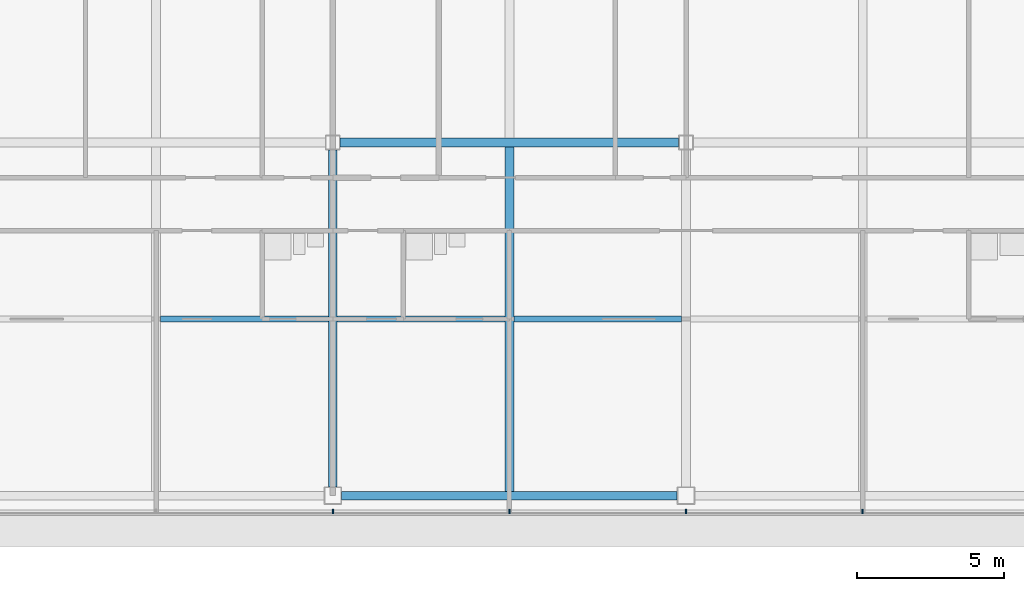
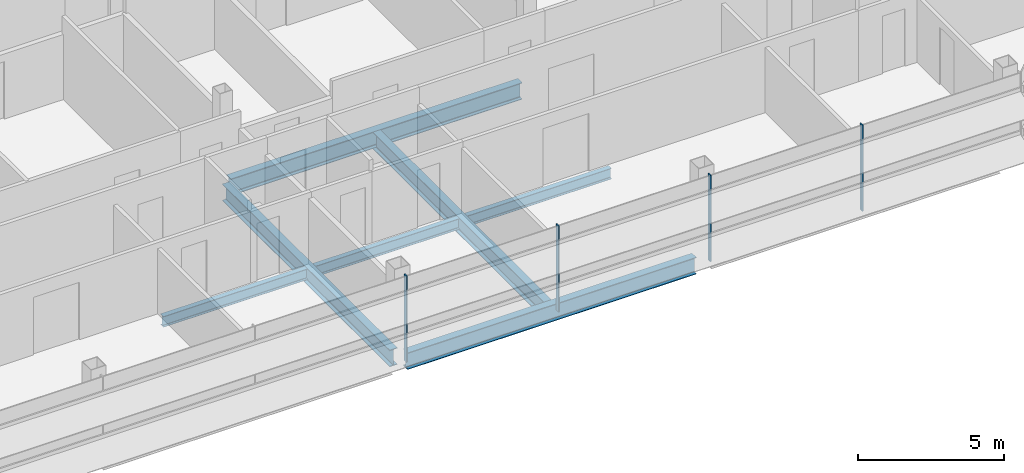
# One storey, part 9 of 28: 7 beams, 4 members, 1 element without a shape of its own.
"""IFC4 building model written with IfcOpenShell, lengths in metres."""

import ifcopenshell
import ifcopenshell.guid

model = None  # the IFC model being written
_history = None  # IfcOwnerHistory: only IFC2X3 demands one
_inside = {}  # id of a spatial element -> (the spatial element, [elements in it])
_under = {}  # id of a project, library or spatial element -> (it, [spatial elements below it])
_declared = {}  # id of a project -> (the project, [libraries it declares])
_typed = {}  # id of a type object -> (the type object, [elements of that type])
_made_of = {}  # id of a material, layer set ... -> (it, [elements and type objects made of it])


def new_model(schema):
    """Start an empty IFC model of exactly this schema.

    Asked for "IFC4X3", IfcOpenShell would pick the latest addendum, in which some entities
    have other attributes; the version numbers below select the first issue.
    IFC2X3 requires an IfcOwnerHistory on every rooted entity: one is made here for all.
    """
    global model, _history
    if schema == "IFC4X3":
        model = ifcopenshell.file(schema_version=(4, 3, 0, 0))
    else:
        model = ifcopenshell.file(schema=schema)
    _inside.clear()
    _under.clear()
    _declared.clear()
    _typed.clear()
    _made_of.clear()
    _history = None
    if model.schema == "IFC2X3":
        org = make("IfcOrganization", Name="unknown")
        user = make(
            "IfcPersonAndOrganization",
            ThePerson=make("IfcPerson", FamilyName="unknown"),
            TheOrganization=org,
        )
        app = make(
            "IfcApplication",
            ApplicationDeveloper=org,
            Version="unknown",
            ApplicationFullName="unknown",
            ApplicationIdentifier="unknown",
        )
        _history = make(
            "IfcOwnerHistory",
            OwningUser=user,
            OwningApplication=app,
            ChangeAction="ADDED",
            CreationDate=0,
        )
    return model


def make(cls, **values):
    """One entity of the class cls with the attributes given. An attribute that is None is left unset."""
    return model.create_entity(
        cls, **{name: value for name, value in values.items() if value is not None}
    )


def rooted(cls, **values):
    """An entity with a GlobalId (a new one), such as an element, a storey or a relation."""
    return make(cls, GlobalId=ifcopenshell.guid.new(), OwnerHistory=_history, **values)


def si_unit(unit_type, name, prefix=None):
    """IfcSIUnit, for example si_unit("LENGTHUNIT", "METRE", prefix="MILLI")."""
    return make("IfcSIUnit", UnitType=unit_type, Prefix=prefix, Name=name)


def assignment(units):
    """IfcUnitAssignment: the units of a project."""
    return None if units is None else make("IfcUnitAssignment", Units=units)


def point(xyz):
    """IfcCartesianPoint."""
    return None if xyz is None else make("IfcCartesianPoint", Coordinates=xyz)


def direction(xyz):
    """IfcDirection."""
    return None if xyz is None else make("IfcDirection", DirectionRatios=xyz)


def frame(location, z_axis=None, x_axis=None):
    """IfcAxis2Placement3D, a coordinate frame: its origin and axes. An axis left out is left unset."""
    return make(
        "IfcAxis2Placement3D",
        Location=point(location),
        Axis=direction(z_axis),
        RefDirection=direction(x_axis),
    )


def frame_2d(location, x_axis=None):
    """IfcAxis2Placement2D, a coordinate frame in the plane: its origin and x axis."""
    return make(
        "IfcAxis2Placement2D", Location=point(location), RefDirection=direction(x_axis)
    )


def origin():
    """The frame at (0, 0, 0) with its axes left unset."""
    return frame((0.0, 0.0, 0.0))


def origin_2d():
    """The frame at (0, 0) in the plane with its x axis left unset."""
    return frame_2d((0.0, 0.0))


def place(relative_to, where):
    """IfcLocalPlacement: puts the frame where relative to a parent placement (None: the world)."""
    return make(
        "IfcLocalPlacement", PlacementRelTo=relative_to, RelativePlacement=where
    )


def context(
    kind, dimensions, precision=None, world=None, true_north=None, identifier=None
):
    """IfcGeometricRepresentationContext, for example the 3D "Model" context."""
    return make(
        "IfcGeometricRepresentationContext",
        ContextIdentifier=identifier,
        ContextType=kind,
        CoordinateSpaceDimension=dimensions,
        Precision=precision,
        WorldCoordinateSystem=world,
        TrueNorth=true_north,
    )


def subcontext(parent, identifier, kind, view, scale=None):
    """IfcGeometricRepresentationSubContext, for example "Body" below "Model"."""
    return make(
        "IfcGeometricRepresentationSubContext",
        ContextIdentifier=identifier,
        ContextType=kind,
        ParentContext=parent,
        TargetScale=scale,
        TargetView=view,
    )


def project(units=None, contexts=None):
    """IfcProject with its units and contexts."""
    return rooted(
        "IfcProject",
        Name="project",
        RepresentationContexts=contexts,
        UnitsInContext=assignment(units),
    )


def spatial(cls, under=None, at=None, **own):
    """A site, building, storey or space (cls), placed at a placement, below another one or the project."""
    s = rooted(cls, ObjectPlacement=at, **own)
    if under is not None:
        _under.setdefault(under.id(), (under, []))[1].append(s)
    return s


def profile(cls, at=None, kind="AREA", **sizes):
    """A parametric profile (cls). Its sizes go by their IFC names, for example OverallWidth=200.0."""
    return make(cls, ProfileType=kind, Position=at, **sizes)


def rectangle(**sizes):
    """IfcRectangleProfileDef."""
    return profile("IfcRectangleProfileDef", **sizes)


def i_section(**sizes):
    """IfcIShapeProfileDef."""
    return profile("IfcIShapeProfileDef", **sizes)


def extrude(swept, where, along, depth):
    """IfcExtrudedAreaSolid: the profile swept, set in the frame where, extruded along a direction by depth."""
    return make(
        "IfcExtrudedAreaSolid",
        SweptArea=swept,
        Position=where,
        ExtrudedDirection=direction(along),
        Depth=depth,
    )


def shape(context_of_items, identifier, shape_type, items):
    """IfcShapeRepresentation: the items that make up one representation, for example the "Body"."""
    return make(
        "IfcShapeRepresentation",
        ContextOfItems=context_of_items,
        RepresentationIdentifier=identifier,
        RepresentationType=shape_type,
        Items=items,
    )


def material(Name=None, Category=None):
    """IfcMaterial."""
    return make("IfcMaterial", Name=Name, Category=Category)


def material_profile(
    of_material, cross_section, Name=None, Category=None, Priority=None
):
    """IfcMaterialProfile: a cross section and its material."""
    return make(
        "IfcMaterialProfile",
        Name=Name,
        Material=of_material,
        Profile=cross_section,
        Priority=Priority,
        Category=Category,
    )


def profile_set(profiles, Name=None, composite=None):
    """IfcMaterialProfileSet."""
    return make(
        "IfcMaterialProfileSet",
        Name=Name,
        MaterialProfiles=profiles,
        CompositeProfile=composite,
    )


def made_of(thing, what):
    """Note that an element or type object is made of a material, layer set ...; save() writes the relation."""
    if what is not None:
        _made_of.setdefault(what.id(), (what, []))[1].append(thing)
    return thing


def type_object(cls, material=None, **own):
    """A type object (cls), such as IfcWallType, which elements share."""
    return made_of(rooted(cls, **own), material)


def element(
    cls,
    number,
    at=None,
    inside=None,
    cuts=None,
    type_object=None,
    material=None,
    context=None,
    identifier="Body",
    shape_type=None,
    held_by="IfcProductDefinitionShape",
    body=None,
    shapes=None,
    **own,
):
    """One element of the class cls, such as IfcWall. Its Tag is "e" and its number.

    at: its placement. inside: the storey or other place that contains it. cuts: it is an
    opening in that element (IfcRelVoidsElement). A single representation is given by context,
    identifier, shape_type and body (its items); several are given by shapes. held_by: the class
    of the entity that holds the representations. save() writes the other relations.
    """
    e = rooted(cls, Tag="e%d" % number, ObjectPlacement=at, **own)
    if body is not None:
        shapes = [shape(context, identifier, shape_type, body)]
    if shapes is not None:
        e.Representation = make(held_by, Representations=shapes)
    if inside is not None:
        _inside.setdefault(inside.id(), (inside, []))[1].append(e)
    if cuts is not None:
        rooted(
            "IfcRelVoidsElement", RelatingBuildingElement=cuts, RelatedOpeningElement=e
        )
    if type_object is not None:
        _typed.setdefault(type_object.id(), (type_object, []))[1].append(e)
    return made_of(e, material)


def aggregate(whole, parts):
    """IfcRelAggregates: a whole, such as a stair, and the parts it consists of."""
    return rooted("IfcRelAggregates", RelatingObject=whole, RelatedObjects=parts)


def save(model, path):
    """Write the relations noted so far, then the file.

    IfcRelAggregates (storeys below a building ...), IfcRelContainedInSpatialStructure (elements
    in a storey), IfcRelDefinesByType, IfcRelAssociatesMaterial and IfcRelDeclares: one each for
    every whole, place, type object, material and project.
    """
    for whole, parts in _under.values():
        aggregate(whole, parts)
    for where, things in _inside.values():
        rooted(
            "IfcRelContainedInSpatialStructure",
            RelatedElements=things,
            RelatingStructure=where,
        )
    for kind, things in _typed.values():
        rooted("IfcRelDefinesByType", RelatedObjects=things, RelatingType=kind)
    for what, things in _made_of.values():
        rooted("IfcRelAssociatesMaterial", RelatedObjects=things, RelatingMaterial=what)
    for by, libraries in _declared.values():
        rooted("IfcRelDeclares", RelatingContext=by, RelatedDefinitions=libraries)
    model.write(path)


model = new_model("IFC4")

# Units and contexts
model_context = context("Model", 3, precision=1e-05, world=origin(), true_north=direction((0.0, 1.0)))
body_context = subcontext(model_context, "Body", "Model", "MODEL_VIEW")
ifc_project = project(units=[si_unit("LENGTHUNIT", "METRE"), si_unit("AREAUNIT", "SQUARE_METRE"), si_unit("VOLUMEUNIT", "CUBIC_METRE"), si_unit("PLANEANGLEUNIT", "RADIAN"), si_unit("MASSUNIT", "GRAM", prefix="KILO")], contexts=[model_context])

# Site, building, storey
site_placement = place(None, origin())
site = spatial("IfcSite", under=ifc_project, at=site_placement, CompositionType="ELEMENT")
building_placement = place(site_placement, origin())
building = spatial("IfcBuilding", under=site, at=building_placement, Name="Sorahane Residences", CompositionType="ELEMENT")
storey_placement = place(building_placement, frame((0.0, 0.0, 273.800048828125)))
storey = spatial("IfcBuildingStorey", under=building, at=storey_placement, Name="L65", CompositionType="ELEMENT", Elevation=273.800048828125)

# Curtain wall, members
ifc_material_1 = material(Name="Dark low-e glass and black anodised aluminium", Category="aluminium")
curtain_wall_type = type_object("IfcCurtainWallType", Name="Curtain wall CW-1 Typical unitised wall", PredefinedType="NOTDEFINED", material=ifc_material_1)
curtain_wall_placement = place(storey_placement, origin())
curtain_wall = element("IfcCurtainWall", 1, at=curtain_wall_placement, inside=storey, type_object=curtain_wall_type, Name="CW-1 curtain wall L65 S1", PredefinedType="NOTDEFINED")
ifc_material_2 = material(Name="Black anodised aluminium", Category="aluminium")
ifc_material_profile_1 = material_profile(ifc_material_2, rectangle(XDim=0.159912109375, YDim=0.050048828125, at=origin_2d()), Name="Curtain wall mullion CW-1 black anodised aluminium 50x160")
ifc_profile_set_1 = profile_set([ifc_material_profile_1], Name="Black anodised aluminium")
member_type = type_object("IfcMemberType", Name="Curtain wall mullion CW-1 black anodised aluminium 50x160", PredefinedType="MULLION", material=ifc_profile_set_1)
member_1_placement = place(storey_placement, frame((24.0, -0.5400390625, -0.179931640625), z_axis=(0.0, 0.0, 1.0), x_axis=(0.0, -1.0, 0.0)))
member_1 = element("IfcMember", 2, at=member_1_placement, type_object=member_type, Name="CW-1 mullion L65 S1.6", PredefinedType="MULLION", context=body_context, shape_type="SweptSolid", body=[
    extrude(rectangle(XDim=0.159912109375, YDim=0.050048828125, at=origin_2d()), origin(), (0.0, 0.0, 1.0), 3.599853515625),
])
member_2_placement = place(storey_placement, frame((30.0, -0.5400390625, -0.179931640625), z_axis=(0.0, 0.0, 1.0), x_axis=(0.0, -1.0, 0.0)))
member_2 = element("IfcMember", 3, at=member_2_placement, type_object=member_type, Name="CW-1 mullion L65 S1.7", PredefinedType="MULLION", context=body_context, shape_type="SweptSolid", body=[
    extrude(rectangle(XDim=0.159912109375, YDim=0.050048828125, at=origin_2d()), origin(), (0.0, 0.0, 1.0), 3.599853515625),
])
member_3_placement = place(storey_placement, frame((36.0, -0.5400390625, -0.179931640625), z_axis=(0.0, 0.0, 1.0), x_axis=(0.0, -1.0, 0.0)))
member_3 = element("IfcMember", 4, at=member_3_placement, type_object=member_type, Name="CW-1 mullion L65 S1.8", PredefinedType="MULLION", context=body_context, shape_type="SweptSolid", body=[
    extrude(rectangle(XDim=0.159912109375, YDim=0.050048828125, at=origin_2d()), origin(), (0.0, 0.0, 1.0), 3.599853515625),
])
member_4_placement = place(storey_placement, frame((42.0, -0.5400390625, -0.179931640625), z_axis=(0.0, 0.0, 1.0), x_axis=(0.0, -1.0, 0.0)))
member_4 = element("IfcMember", 5, at=member_4_placement, type_object=member_type, Name="CW-1 mullion L65 S1.9", PredefinedType="MULLION", context=body_context, shape_type="SweptSolid", body=[
    extrude(rectangle(XDim=0.159912109375, YDim=0.050048828125, at=origin_2d()), origin(), (0.0, 0.0, 1.0), 3.599853515625),
])
aggregate(curtain_wall, [member_1, member_2, member_3, member_4])

# Beams
ifc_material_3 = material(Name="Steel Q355B", Category="steel")
ifc_material_profile_2 = material_profile(ifc_material_3, i_section(OverallWidth=0.199951171875, OverallDepth=0.449951171875, WebThickness=0.009033203125, FlangeThickness=0.013916015625, FilletRadius=0.02001953125, at=origin_2d()), Name="HN 450x200x9x14")
ifc_profile_set_2 = profile_set([ifc_material_profile_2], Name="Steel Q355B")
beam_type_1 = type_object("IfcBeamType", Name="Steel floor beam HN 450x200x9x14 Q355B", PredefinedType="BEAM", material=ifc_profile_set_2)
for number, where, z_axis, x_axis, name in (
    (6, (18.14990234375, 6.0, -0.405029296875), (1.0, 0.0, 0.0), (0.0, 1.0, 0.0), "Beam L65 072"),
    (7, (24.14990234375, 6.0, -0.405029296875), (1.0, 0.0, 0.0), (0.0, 1.0, 0.0), "Beam L65 073"),
    (8, (30.14990234375, 6.0, -0.405029296875), (1.0, 0.0, 0.0), (0.0, 1.0, 0.0), "Beam L65 074"),
):
    element("IfcBeam", number, at=place(storey_placement, frame(where, z_axis=z_axis, x_axis=x_axis)), inside=storey, type_object=beam_type_1, Name=name, PredefinedType="BEAM", context=body_context, shape_type="SweptSolid", body=[
        extrude(i_section(OverallWidth=0.199951171875, OverallDepth=0.449951171875, WebThickness=0.009033203125, FlangeThickness=0.013916015625, FilletRadius=0.02001953125, at=origin_2d()), origin(), (0.0, 0.0, 1.0), 5.7001953125),
    ])
ifc_material_4 = material(Name="Steel Q355B", Category="steel")
ifc_material_profile_3 = material_profile(ifc_material_4, i_section(OverallWidth=0.300048828125, OverallDepth=0.699951171875, WebThickness=0.012939453125, FlangeThickness=0.02392578125, FilletRadius=0.028076171875, at=origin_2d()), Name="HN 700x300x13x24")
ifc_profile_set_3 = profile_set([ifc_material_profile_3], Name="Steel Q355B")
beam_type_2 = type_object("IfcBeamType", Name="Steel floor beam HN 700x300x13x24 Q355B", PredefinedType="BEAM", material=ifc_profile_set_3)
beam_1_placement = place(storey_placement, frame((24.300048828125, 0.0, -0.530029296875), z_axis=(1.0, 0.0, 0.0), x_axis=(0.0, 1.0, 0.0)))
element("IfcBeam", 9, at=beam_1_placement, inside=storey, type_object=beam_type_2, Name="Beam L65 003", PredefinedType="BEAM", context=body_context, shape_type="SweptSolid", body=[
    extrude(i_section(OverallWidth=0.300048828125, OverallDepth=0.699951171875, WebThickness=0.012939453125, FlangeThickness=0.02392578125, FilletRadius=0.028076171875, at=origin_2d()), origin(), (0.0, 0.0, 1.0), 11.39990234375),
])
beam_2_placement = place(storey_placement, frame((24.25, 12.0, -0.530029296875), z_axis=(1.0, 0.0, 0.0), x_axis=(0.0, 1.0, 0.0)))
element("IfcBeam", 10, at=beam_2_placement, inside=storey, type_object=beam_type_2, Name="Beam L65 008", PredefinedType="BEAM", context=body_context, shape_type="SweptSolid", body=[
    extrude(i_section(OverallWidth=0.300048828125, OverallDepth=0.699951171875, WebThickness=0.012939453125, FlangeThickness=0.02392578125, FilletRadius=0.028076171875, at=origin_2d()), origin(), (0.0, 0.0, 1.0), 11.5),
])
beam_3_placement = place(storey_placement, frame((24.0, 0.300048828125, -0.530029296875), z_axis=(0.0, 1.0, 0.0), x_axis=(-1.0, 0.0, 0.0)))
element("IfcBeam", 11, at=beam_3_placement, inside=storey, type_object=beam_type_2, Name="Beam L65 042", PredefinedType="BEAM", context=body_context, shape_type="SweptSolid", body=[
    extrude(i_section(OverallWidth=0.300048828125, OverallDepth=0.699951171875, WebThickness=0.012939453125, FlangeThickness=0.02392578125, FilletRadius=0.028076171875, at=origin_2d()), origin(), (0.0, 0.0, 1.0), 11.449951171875),
])
beam_4_placement = place(storey_placement, frame((30.0, 0.14990234375, -0.530029296875), z_axis=(0.0, 1.0, 0.0), x_axis=(-1.0, 0.0, 0.0)))
element("IfcBeam", 12, at=beam_4_placement, inside=storey, type_object=beam_type_2, Name="Beam L65 044", PredefinedType="BEAM", context=body_context, shape_type="SweptSolid", body=[
    extrude(i_section(OverallWidth=0.300048828125, OverallDepth=0.699951171875, WebThickness=0.012939453125, FlangeThickness=0.02392578125, FilletRadius=0.028076171875, at=origin_2d()), origin(), (0.0, 0.0, 1.0), 11.7001953125),
])

save(model, "model.ifc")
